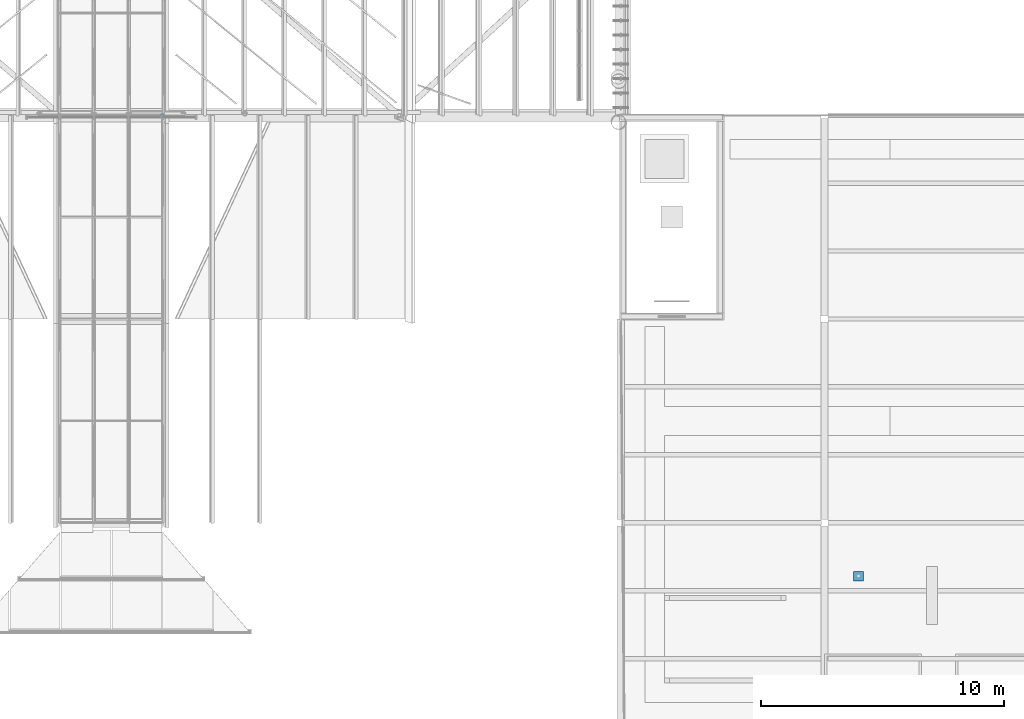
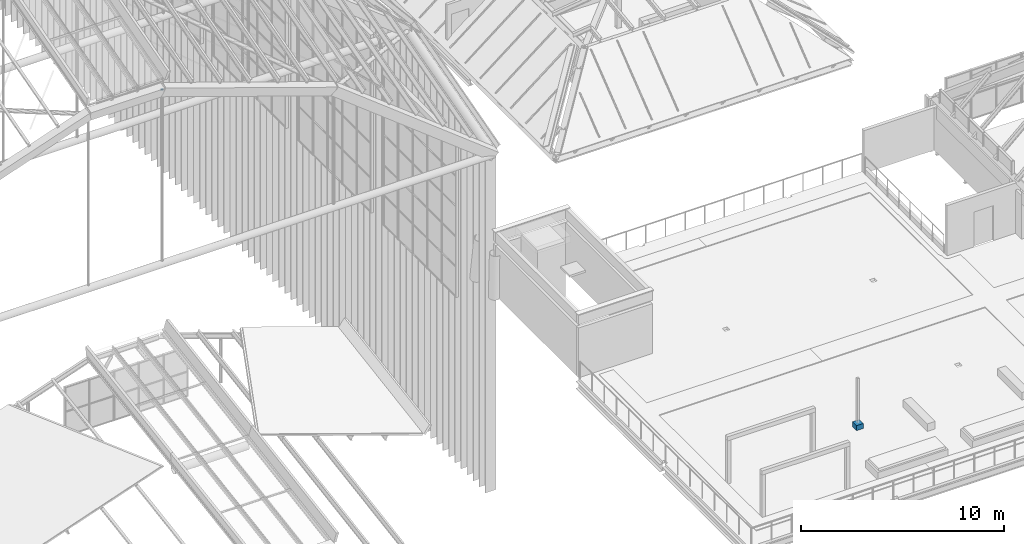
# One storey, part 91 of 126: 2 discrete accessories.
"""IFC4 building model written with IfcOpenShell, lengths in metres."""

from ifc_helpers import new_model, si_unit, direction, frame, origin, origin_2d, place, context, subcontext, project, spatial, rectangle, circle, extrude, material, material_profile, profile_set, type_object, element, save


model = new_model("IFC4")

# Units and contexts
model_context = context("Model", 3, precision=1e-05, world=origin(), true_north=direction((0.0, 1.0)))
body_context = subcontext(model_context, "Body", "Model", "MODEL_VIEW")
ifc_project = project(units=[si_unit("LENGTHUNIT", "METRE"), si_unit("AREAUNIT", "SQUARE_METRE"), si_unit("VOLUMEUNIT", "CUBIC_METRE"), si_unit("PLANEANGLEUNIT", "RADIAN"), si_unit("MASSUNIT", "GRAM", prefix="KILO")], contexts=[model_context])

# Site, building, storey
site_placement = place(None, origin())
site = spatial("IfcSite", under=ifc_project, at=site_placement, CompositionType="ELEMENT")
building_placement = place(site_placement, origin())
building = spatial("IfcBuilding", under=site, at=building_placement, Name="Sava Quay Ferry Terminal", CompositionType="ELEMENT")
storey_placement = place(building_placement, frame((0.0, 0.0, 15.0)))
storey = spatial("IfcBuildingStorey", under=building, at=storey_placement, Name="L03", CompositionType="ELEMENT", Elevation=15.0)

# Discrete accessories
ifc_material_1 = material(Name="Precast concrete C30/37", Category="concrete")
discrete_accessory_type_1 = type_object("IfcDiscreteAccessoryType", Name="Terrace lamp base 400", PredefinedType="NOTDEFINED", material=ifc_material_1)
discrete_accessory_1_placement = place(storey_placement, frame((93.800048828125, 31.39990234375, 0.0), z_axis=(0.0, 0.0, 1.0), x_axis=(1.0, 0.0, 0.0)))
element("IfcDiscreteAccessory", 1, at=discrete_accessory_1_placement, inside=storey, type_object=discrete_accessory_type_1, Name="Terrace lamp base", PredefinedType="NOTDEFINED", context=body_context, shape_type="SweptSolid", body=[
    extrude(rectangle(XDim=0.39990234375, YDim=0.39990234375, at=origin_2d()), origin(), (0.0, 0.0, 1.0), 0.300048828125),
])
ifc_material_2 = material(Name="Steel S355", Category="steel")
ifc_material_profile = material_profile(ifc_material_2, circle(Radius=0.06982421875, at=origin_2d()), Name="Plate 139.7 dia x 20")
ifc_profile_set = profile_set([ifc_material_profile], Name="Steel S355")
discrete_accessory_type_2 = type_object("IfcDiscreteAccessoryType", Name="Tube end plate 139.7", PredefinedType="ANCHORPLATE", material=ifc_profile_set)
discrete_accessory_2_placement = place(storey_placement, frame((65.10009765625, 50.39990234375, 18.897216796875), z_axis=(0.0, 0.0, 1.0), x_axis=(1.0, 0.0, 0.0)))
element("IfcDiscreteAccessory", 2, at=discrete_accessory_2_placement, inside=storey, type_object=discrete_accessory_type_2, Name="End plate Departure hall tie hanger R0 V3", PredefinedType="ANCHORPLATE", context=body_context, shape_type="SweptSolid", body=[
    extrude(circle(Radius=0.06982421875, at=origin_2d()), origin(), (0.0, 0.0, 1.0), 0.02001953125),
])

save(model, "model.ifc")
